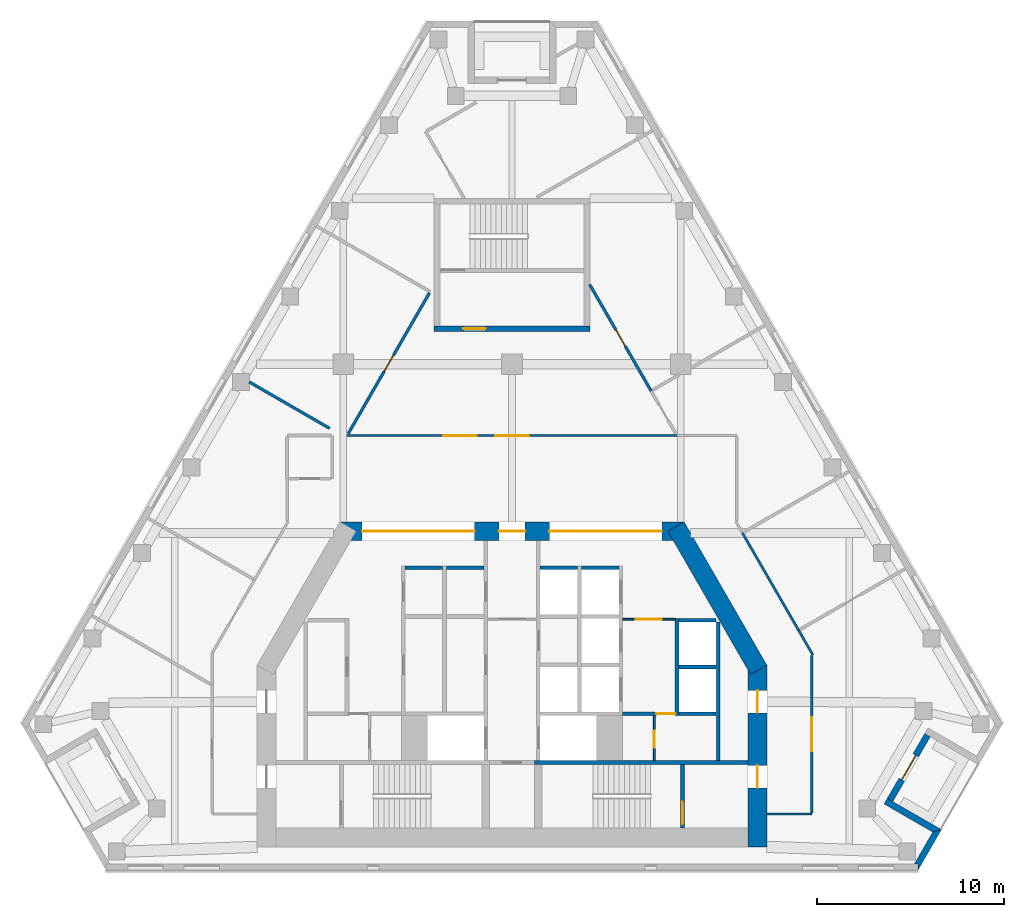
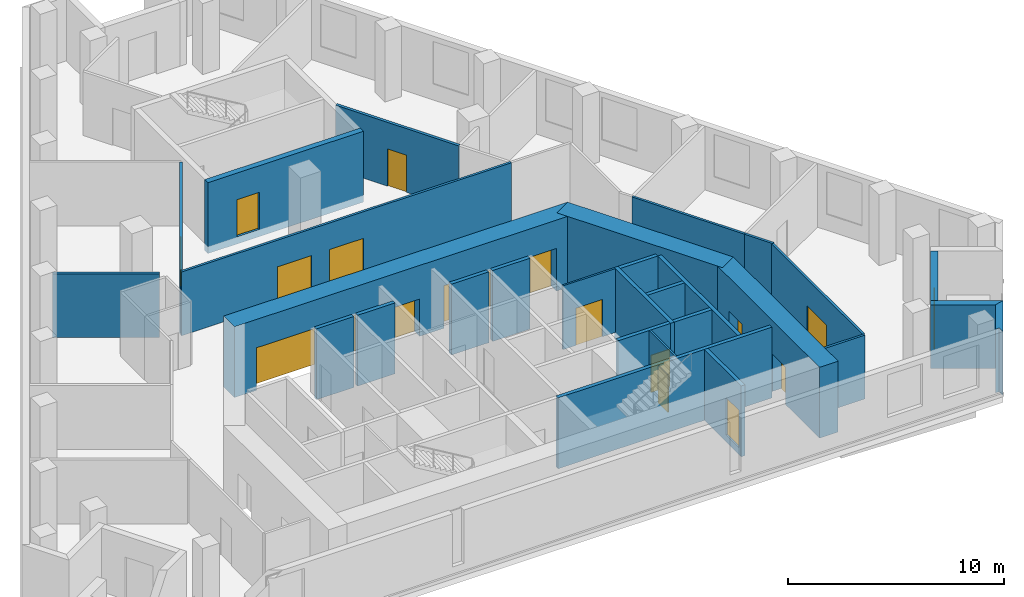
# One storey, part 4 of 7: 29 walls, 16 doors, 16 openings.
"""IFC4 building model written with IfcOpenShell, lengths in metres."""

from ifc_helpers import new_model, si_unit, direction, frame, frame_2d, origin, place, context, subcontext, project, spatial, polyline, rectangle, outline, extrude, material, layer, layer_set, type_object, element, fill, save


model = new_model("IFC4")

# Units and contexts
model_context = context("Model", 3, precision=1e-05, world=origin(), true_north=direction((0.0, 1.0)))
body_context = subcontext(model_context, "Body", "Model", "MODEL_VIEW")
ifc_project = project(units=[si_unit("LENGTHUNIT", "METRE"), si_unit("AREAUNIT", "SQUARE_METRE"), si_unit("VOLUMEUNIT", "CUBIC_METRE"), si_unit("PLANEANGLEUNIT", "RADIAN"), si_unit("MASSUNIT", "GRAM", prefix="KILO")], contexts=[model_context])

# Site, building, storey
site_placement = place(None, origin())
site = spatial("IfcSite", under=ifc_project, at=site_placement, CompositionType="ELEMENT")
building_placement = place(site_placement, origin())
building = spatial("IfcBuilding", under=site, at=building_placement, Name="Fogline Exchange Tower", CompositionType="ELEMENT")
storey_placement = place(building_placement, frame((0.0, 0.0, 251.5)))
storey = spatial("IfcBuildingStorey", under=building, at=storey_placement, Name="L57", CompositionType="ELEMENT", Elevation=251.5)

# Wall, opening, door
ifc_material_1 = material(Name="Blockwork partition", Category="masonry")
ifc_layer_1 = layer(ifc_material_1, 0.10009765625)
ifc_layer_set_1 = layer_set([ifc_layer_1], Name="CW10")
wall_type_1 = type_object("IfcWallType", Name="CW10", PredefinedType="PARTITIONING", material=ifc_layer_set_1)
wall_1_placement = place(storey_placement, frame((5.89990234375, 13.39990234375, 0.0), z_axis=(0.0, 0.0, 1.0), x_axis=(1.0, 0.0, 0.0)))
wall_1 = element("IfcWall", 1, at=wall_1_placement, inside=storey, type_object=wall_type_1, Name="Lift lobby partition", PredefinedType="PARTITIONING", context=body_context, shape_type="SweptSolid", body=[
    extrude(rectangle(XDim=2.800048828125, YDim=0.10009765625, at=frame_2d((1.39990234375, 0.0))), origin(), (0.0, 0.0, 1.0), 3.60009765625),
])
opening_1_placement = place(wall_1_placement, frame((0.699951171875, 0.0, 0.0)))
opening_1 = element("IfcOpeningElement", 2, at=opening_1_placement, cuts=wall_1, Name="Opening T18-C013", PredefinedType="OPENING", context=body_context, shape_type="SweptSolid", body=[
    extrude(rectangle(XDim=1.39990234375, YDim=2.10009765625, at=frame_2d((0.699951171875, 1.050048828125))), frame((0.0, 0.06005859375, 0.0), z_axis=(0.0, -1.0, 0.0), x_axis=(1.0, 0.0, 0.0)), (0.0, 0.0, 1.0), 0.1201171875),
])
ifc_material_2 = material(Name="Steel and timber fire door", Category="steel")
door_type_1 = type_object("IfcDoorType", Name="D-LB1", OperationType="DOUBLE_DOOR_SINGLE_SWING", PredefinedType="DOOR", material=ifc_material_2)
door_1_placement = place(opening_1_placement, frame((1.39990234375, 0.0, 0.0), z_axis=(0.0, 0.0, 1.0), x_axis=(-1.0, 0.0, 0.0)))
door_1 = element("IfcDoor", 3, at=door_1_placement, inside=storey, type_object=door_type_1, Name="Door to lift lobby", OperationType="DOUBLE_DOOR_SINGLE_SWING", OverallHeight=2.10009765625, OverallWidth=1.39990234375, PredefinedType="DOOR", context=body_context, shape_type="SweptSolid", body=[
    extrude(rectangle(XDim=1.39990234375, YDim=2.10009765625, at=frame_2d((0.699951171875, 1.050048828125))), frame((0.0, 0.02490234375, 0.0), z_axis=(0.0, -1.0, 0.0), x_axis=(1.0, 0.0, 0.0)), (0.0, 0.0, 1.0), 0.050048828125),
])
fill(opening_1, door_1)

wall_2_placement = place(storey_placement, frame((7.60009765625, 5.85009765625, 0.0), z_axis=(0.0, 0.0, 1.0), x_axis=(0.0, 1.0, 0.0)))
wall_2 = element("IfcWall", 4, at=wall_2_placement, inside=storey, type_object=wall_type_1, Name="WC partition", PredefinedType="PARTITIONING", context=body_context, shape_type="SweptSolid", body=[
    extrude(rectangle(XDim=2.39990234375, YDim=0.10009765625, at=frame_2d((1.199951171875, 0.0))), origin(), (0.0, 0.0, 1.0), 3.60009765625),
])
opening_2_placement = place(wall_2_placement, frame((0.699951171875, 0.0, 0.0)))
opening_2 = element("IfcOpeningElement", 5, at=opening_2_placement, cuts=wall_2, Name="Opening T18-C015", PredefinedType="OPENING", context=body_context, shape_type="SweptSolid", body=[
    extrude(rectangle(XDim=0.89990234375, YDim=2.10009765625, at=frame_2d((0.449951171875, 1.050048828125))), frame((0.0, 0.06005859375, 0.0), z_axis=(0.0, -1.0, 0.0), x_axis=(1.0, 0.0, 0.0)), (0.0, 0.0, 1.0), 0.1201171875),
])
door_type_2 = type_object("IfcDoorType", Name="D-CS1", OperationType="SINGLE_SWING_RIGHT", PredefinedType="DOOR", material=ifc_material_2)
door_2_placement = place(opening_2_placement, origin())
door_2 = element("IfcDoor", 6, at=door_2_placement, inside=storey, type_object=door_type_2, Name="Door to Cleaner's Store", OperationType="SINGLE_SWING_LEFT", OverallHeight=2.10009765625, OverallWidth=0.89990234375, PredefinedType="DOOR", context=body_context, shape_type="SweptSolid", body=[
    extrude(rectangle(XDim=0.89990234375, YDim=2.10009765625, at=frame_2d((0.449951171875, 1.050048828125))), frame((0.0, 0.02490234375, 0.0), z_axis=(0.0, -1.0, 0.0), x_axis=(1.0, 0.0, 0.0)), (0.0, 0.0, 1.0), 0.050048828125),
])
fill(opening_2, door_2)

# Wall
ifc_material_3 = material(Name="Concrete C40", Category="concrete")
ifc_layer_2 = layer(ifc_material_3, 0.199951171875)
ifc_layer_set_2 = layer_set([ifc_layer_2], Name="CW20")
wall_type_2 = type_object("IfcWallType", Name="CW20", PredefinedType="SOLIDWALL", material=ifc_layer_set_2)
wall_3_placement = place(storey_placement, frame((11.0, 5.85009765625, 0.0), z_axis=(0.0, 0.0, 1.0), x_axis=(0.0, 1.0, 0.0)))
element("IfcWall", 7, at=wall_3_placement, inside=storey, type_object=wall_type_2, Name="Service room wall", PredefinedType="SOLIDWALL", context=body_context, shape_type="SweptSolid", body=[
    extrude(rectangle(XDim=7.39990234375, YDim=0.199951171875, at=frame_2d((3.699951171875, 0.0))), origin(), (0.0, 0.0, 1.0), 3.60009765625),
])

# Wall, opening, door
wall_4_placement = place(storey_placement, frame((5.89990234375, 8.35009765625, 0.0), z_axis=(0.0, 0.0, 1.0), x_axis=(1.0, 0.0, 0.0)))
wall_4 = element("IfcWall", 8, at=wall_4_placement, inside=storey, type_object=wall_type_2, Name="WC wall", PredefinedType="SOLIDWALL", context=body_context, shape_type="SweptSolid", body=[
    extrude(rectangle(XDim=2.800048828125, YDim=0.199951171875, at=frame_2d((1.39990234375, 0.0))), origin(), (0.0, 0.0, 1.0), 3.60009765625),
])
opening_3_placement = place(wall_4_placement, frame((1.800048828125, 0.0, 0.0)))
opening_3 = element("IfcOpeningElement", 9, at=opening_3_placement, cuts=wall_4, Name="Opening T18-C014", PredefinedType="OPENING", context=body_context, shape_type="SweptSolid", body=[
    extrude(rectangle(XDim=1.0, YDim=2.10009765625, at=frame_2d((0.5, 1.050048828125))), frame((0.0, 0.10986328125, 0.0), z_axis=(0.0, -1.0, 0.0), x_axis=(1.0, 0.0, 0.0)), (0.0, 0.0, 1.0), 0.219970703125),
])
door_type_3 = type_object("IfcDoorType", Name="D-WC1", OperationType="SINGLE_SWING_LEFT", PredefinedType="DOOR", material=ifc_material_2)
door_3_placement = place(opening_3_placement, frame((1.0, 0.0, 0.0), z_axis=(0.0, 0.0, 1.0), x_axis=(-1.0, 0.0, 0.0)))
door_3 = element("IfcDoor", 10, at=door_3_placement, inside=storey, type_object=door_type_3, Name="Door to Women's WC", OperationType="SINGLE_SWING_LEFT", OverallHeight=2.10009765625, OverallWidth=1.0, PredefinedType="DOOR", context=body_context, shape_type="SweptSolid", body=[
    extrude(rectangle(XDim=1.0, YDim=2.10009765625, at=frame_2d((0.5, 1.050048828125))), frame((0.0, 0.02490234375, 0.0), z_axis=(0.0, -1.0, 0.0), x_axis=(1.0, 0.0, 0.0)), (0.0, 0.0, 1.0), 0.050048828125),
])
fill(opening_3, door_3)

# Wall
ifc_layer_3 = layer(ifc_material_3, 0.199951171875)
ifc_layer_set_3 = layer_set([ifc_layer_3], Name="CW20R")
wall_type_3 = type_object("IfcWallType", Name="CW20R", PredefinedType="SOLIDWALL", material=ifc_layer_set_3)
wall_5_placement = place(storey_placement, frame((1.199951171875, 5.75, -0.39990234375), z_axis=(0.0, 0.0, 1.0), x_axis=(1.0, 0.0, 0.0)))
element("IfcWall", 11, at=wall_5_placement, inside=storey, type_object=wall_type_3, Name="Stair enclosure wall", PredefinedType="SOLIDWALL", context=body_context, shape_type="SweptSolid", body=[
    extrude(rectangle(XDim=11.400146484375, YDim=0.199951171875, at=frame_2d((5.7001953125, 0.0))), origin(), (0.0, 0.0, 1.0), 4.0),
])

# Wall, opening, door
wall_6_placement = place(storey_placement, frame((9.10009765625, 2.25, -0.39990234375), z_axis=(0.0, 0.0, 1.0), x_axis=(0.0, 1.0, 0.0)))
wall_6 = element("IfcWall", 12, at=wall_6_placement, inside=storey, type_object=wall_type_3, Name="Stair enclosure wall", PredefinedType="SOLIDWALL", context=body_context, shape_type="SweptSolid", body=[
    extrude(rectangle(XDim=3.39990234375, YDim=0.199951171875, at=frame_2d((1.699951171875, 0.0))), origin(), (0.0, 0.0, 1.0), 4.0),
])
opening_4_placement = place(wall_6_placement, frame((0.199951171875, 0.0, 0.39990234375)))
opening_4 = element("IfcOpeningElement", 13, at=opening_4_placement, cuts=wall_6, Name="Opening T18-C017", PredefinedType="OPENING", context=body_context, shape_type="SweptSolid", body=[
    extrude(rectangle(XDim=1.199951171875, YDim=2.10009765625, at=frame_2d((0.60009765625, 1.050048828125))), frame((0.0, 0.10986328125, 0.0), z_axis=(0.0, -1.0, 0.0), x_axis=(1.0, 0.0, 0.0)), (0.0, 0.0, 1.0), 0.219970703125),
])
door_type_4 = type_object("IfcDoorType", Name="D-ST1", OperationType="SINGLE_SWING_LEFT", PredefinedType="DOOR", material=ifc_material_2)
door_4_placement = place(opening_4_placement, origin())
door_4 = element("IfcDoor", 14, at=door_4_placement, inside=storey, type_object=door_type_4, Name="Stair door ST2", OperationType="SINGLE_SWING_LEFT", OverallHeight=2.10009765625, OverallWidth=1.199951171875, PredefinedType="DOOR", context=body_context, shape_type="SweptSolid", body=[
    extrude(rectangle(XDim=1.199951171875, YDim=2.10009765625, at=frame_2d((0.60009765625, 1.050048828125))), frame((0.0, 0.02490234375, 0.0), z_axis=(0.0, -1.0, 0.0), x_axis=(1.0, 0.0, 0.0)), (0.0, 0.0, 1.0), 0.050048828125),
])
fill(opening_4, door_4)

# Walls
ifc_layer_4 = layer(ifc_material_3, 0.199951171875)
ifc_layer_set_4 = layer_set([ifc_layer_4], Name="CW20S")
wall_type_4 = type_object("IfcWallType", Name="CW20S", PredefinedType="SOLIDWALL", material=ifc_layer_set_4)
wall_7_placement = place(storey_placement, frame((8.800048828125, 8.25, -0.39990234375), z_axis=(0.0, 0.0, 1.0), x_axis=(0.0, 1.0, 0.0)))
element("IfcWall", 15, at=wall_7_placement, inside=storey, type_object=wall_type_4, Name="Lift shaft wall", PredefinedType="SOLIDWALL", context=body_context, shape_type="SweptSolid", body=[
    extrude(rectangle(XDim=5.199951171875, YDim=0.199951171875, at=frame_2d((2.60009765625, 0.0))), origin(), (0.0, 0.0, 1.0), 4.0),
])
for number, where, z_axis, x_axis, name in (
    (16, (8.89990234375, 8.35009765625, -0.39990234375), (0.0, 0.0, 1.0), (1.0, 0.0, 0.0), "Lift shaft wall"),
    (17, (-5.699951171875, 16.14990234375, -0.39990234375), (0.0, 0.0, 1.0), (1.0, 0.0, 0.0), "Lift shaft wall"),
    (18, (-3.5, 16.14990234375, -0.39990234375), (0.0, 0.0, 1.0), (1.0, 0.0, 0.0), "Lift shaft wall"),
    (19, (8.89990234375, 10.85009765625, -0.39990234375), (0.0, 0.0, 1.0), (1.0, 0.0, 0.0), "Lift shaft wall"),
    (20, (8.89990234375, 13.35009765625, -0.39990234375), (0.0, 0.0, 1.0), (1.0, 0.0, 0.0), "Lift shaft wall"),
    (21, (3.699951171875, 16.14990234375, -0.39990234375), (0.0, 0.0, 1.0), (1.0, 0.0, 0.0), "Lift shaft wall"),
    (22, (1.5, 16.14990234375, -0.39990234375), (0.0, 0.0, 1.0), (1.0, 0.0, 0.0), "Lift shaft wall"),
):
    element("IfcWall", number, at=place(storey_placement, frame(where, z_axis=z_axis, x_axis=x_axis)), inside=storey, type_object=wall_type_4, Name=name, PredefinedType="SOLIDWALL", context=body_context, shape_type="SweptSolid", body=[
        extrude(rectangle(XDim=2.0, YDim=0.199951171875, at=frame_2d((1.0, 0.0))), origin(), (0.0, 0.0, 1.0), 4.0),
    ])

# Wall, opening, door
ifc_layer_5 = layer(ifc_material_3, 0.300048828125)
ifc_layer_set_5 = layer_set([ifc_layer_5], Name="CW30")
wall_type_5 = type_object("IfcWallType", Name="CW30", PredefinedType="SOLIDWALL", material=ifc_layer_set_5)
wall_8_placement = place(storey_placement, frame((-4.14990234375, 28.906982421875, -0.39990234375), z_axis=(0.0, 0.0, 1.0), x_axis=(1.0, 0.0, 0.0)))
wall_8 = element("IfcWall", 23, at=wall_8_placement, inside=storey, type_object=wall_type_5, Name="Stair enclosure wall ST3", PredefinedType="SOLIDWALL", context=body_context, shape_type="SweptSolid", body=[
    extrude(rectangle(XDim=8.2998046875, YDim=0.300048828125, at=frame_2d((4.14990234375, 0.0))), origin(), (0.0, 0.0, 1.0), 4.0),
])
opening_5_placement = place(wall_8_placement, frame((1.550048828125, 0.0, 0.39990234375)))
opening_5 = element("IfcOpeningElement", 24, at=opening_5_placement, cuts=wall_8, Name="Opening T18-C023", PredefinedType="OPENING", context=body_context, shape_type="SweptSolid", body=[
    extrude(rectangle(XDim=1.199951171875, YDim=2.10009765625, at=frame_2d((0.60009765625, 1.050048828125))), frame((0.0, 0.16015625, 0.0), z_axis=(0.0, -1.0, 0.0), x_axis=(1.0, 0.0, 0.0)), (0.0, 0.0, 1.0), 0.320068359375),
])
door_type_5 = type_object("IfcDoorType", Name="D-FR1", OperationType="SINGLE_SWING_RIGHT", PredefinedType="DOOR", material=ifc_material_2)
door_5_placement = place(opening_5_placement, origin())
door_5 = element("IfcDoor", 25, at=door_5_placement, inside=storey, type_object=door_type_5, Name="Front room door ST3", OperationType="SINGLE_SWING_LEFT", OverallHeight=2.10009765625, OverallWidth=1.199951171875, PredefinedType="DOOR", context=body_context, shape_type="SweptSolid", body=[
    extrude(rectangle(XDim=1.199951171875, YDim=2.10009765625, at=frame_2d((0.60009765625, 1.050048828125))), frame((0.0, 0.02490234375, 0.0), z_axis=(0.0, -1.0, 0.0), x_axis=(1.0, 0.0, 0.0)), (0.0, 0.0, 1.0), 0.050048828125),
])
fill(opening_5, door_5)

# Walls
ifc_material_4 = material(Name="Brick masonry", Category="masonry")
ifc_layer_6 = layer(ifc_material_4, 0.340087890625)
ifc_layer_set_6 = layer_set([ifc_layer_6], Name="FW1")
wall_type_6 = type_object("IfcWallType", Name="FW1", PredefinedType="SOLIDWALL", material=ifc_layer_set_6)
wall_9_placement = place(storey_placement, origin())
element("IfcWall", 26, at=wall_9_placement, inside=storey, type_object=wall_type_6, Name="Brick wall L57 SE-c1", PredefinedType="SOLIDWALL", context=body_context, shape_type="SweptSolid", body=[
    extrude(outline(polyline([(22.92041015625, 2.165771484375), (21.66943359375, -0.001220703125), (21.668701171875, -0.0009765625), (21.668701171875, 0.33935546875), (21.471923828125, 0.33935546875), (22.45458984375, 2.041015625), (22.920166015625, 2.166015625), (22.92041015625, 2.165771484375)])), origin(), (0.0, 0.0, 1.0), 3.60009765625),
])
wall_10_placement = place(storey_placement, origin())
element("IfcWall", 27, at=wall_10_placement, inside=storey, type_object=wall_type_6, Name="Brick wall L57 SE-s1", PredefinedType="SOLIDWALL", context=body_context, shape_type="SweptSolid", body=[
    extrude(outline(polyline([(19.85595703125, 3.540283203125), (20.026611328125, 3.8359375), (20.321533203125, 3.66552734375), (22.920654296875, 2.1650390625), (22.92041015625, 2.164794921875), (22.454833984375, 2.0400390625), (19.85595703125, 3.540283203125)])), origin(), (0.0, 0.0, 1.0), 3.60009765625),
])

# Wall, opening, door
wall_11_placement = place(storey_placement, frame((20.174072265625, 3.75, 0.0), z_axis=(0.0, 0.0, 1.0), x_axis=(0.49999894854, 0.866026010844, 0.0)))
wall_11 = element("IfcWall", 28, at=wall_11_placement, inside=storey, type_object=wall_type_6, Name="Brick wall L57 SE-bk", PredefinedType="SOLIDWALL", context=body_context, shape_type="SweptSolid", body=[
    extrude(rectangle(XDim=4.0, YDim=0.340087890625, at=frame_2d((2.0, 0.0))), origin(), (0.0, 0.0, 1.0), 3.60009765625),
])
opening_6_placement = place(wall_11_placement, frame((1.25, 0.0, 0.0)))
opening_6 = element("IfcOpeningElement", 29, at=opening_6_placement, cuts=wall_11, Name="Opening T18-E081", PredefinedType="OPENING", context=body_context, shape_type="SweptSolid", body=[
    extrude(rectangle(XDim=1.5, YDim=2.39990234375, at=frame_2d((0.75, 1.199951171875))), frame((0.0, 0.18017578125, 0.0), z_axis=(0.0, -1.0, 0.0), x_axis=(1.0, 0.0, 0.0)), (0.0, 0.0, 1.0), 0.360107421875),
])
ifc_material_5 = material(Name="Aluminium and glass", Category="aluminium")
door_type_6 = type_object("IfcDoorType", Name="ED4", OperationType="SINGLE_SWING_LEFT", PredefinedType="DOOR", material=ifc_material_5)
door_6_placement = place(opening_6_placement, frame((1.5, 0.0, 0.0), z_axis=(0.0, 0.0, 1.0), x_axis=(-1.0, 0.0, 0.0)))
door_6 = element("IfcDoor", 30, at=door_6_placement, inside=storey, type_object=door_type_6, Name="Balcony door L57 SE", OperationType="DOUBLE_DOOR_SINGLE_SWING", OverallHeight=2.39990234375, OverallWidth=1.5, PredefinedType="DOOR", context=body_context, shape_type="SweptSolid", body=[
    extrude(rectangle(XDim=1.5, YDim=2.39990234375, at=frame_2d((0.75, 1.199951171875))), frame((0.0, 0.02490234375, 0.0), z_axis=(0.0, -1.0, 0.0), x_axis=(1.0, 0.0, 0.0)), (0.0, 0.0, 1.0), 0.050048828125),
])
fill(opening_6, door_6)

# Wall
ifc_material_6 = material(Name="Plasterboard corridor partition with mineral wool, 2 layers each side")
ifc_layer_7 = layer(ifc_material_6, 0.125)
ifc_layer_set_7 = layer_set([ifc_layer_7], Name="PW2")
wall_type_7 = type_object("IfcWallType", Name="PW2", PredefinedType="PARTITIONING", material=ifc_layer_set_7)
wall_12_placement = place(storey_placement, frame((15.296630859375, 12.806640625, 0.0), z_axis=(0.0, 0.0, 1.0), x_axis=(0.50003863285, -0.866003097949, 0.0)))
element("IfcWall", 31, at=wall_12_placement, inside=storey, type_object=wall_type_7, Name="wall-L57-W002", PredefinedType="PARTITIONING", context=body_context, shape_type="SweptSolid", body=[
    extrude(rectangle(XDim=1.51513671875, YDim=0.125, at=frame_2d((0.757568359375, 0.0))), origin(), (0.0, 0.0, 1.0), 3.60009765625),
])

# Wall, opening, door
wall_13_placement = place(storey_placement, frame((16.0, 11.46337890625, 0.0), z_axis=(0.0, 0.0, 1.0), x_axis=(0.0, -1.0, 0.0)))
wall_13 = element("IfcWall", 32, at=wall_13_placement, inside=storey, type_object=wall_type_7, Name="wall-L57-W003", PredefinedType="PARTITIONING", context=body_context, shape_type="SweptSolid", body=[
    extrude(rectangle(XDim=8.40087890625, YDim=0.125, at=frame_2d((4.200439453125, 0.0))), origin(), (0.0, 0.0, 1.0), 3.60009765625),
])
opening_7_placement = place(wall_13_placement, frame((3.300537109375, 0.0, 0.0)))
opening_7 = element("IfcOpeningElement", 33, at=opening_7_placement, cuts=wall_13, Name="Opening T18-D001", PredefinedType="OPENING", context=body_context, shape_type="SweptSolid", body=[
    extrude(rectangle(XDim=1.800048828125, YDim=2.10009765625, at=frame_2d((0.89990234375, 1.050048828125))), frame((0.0, 0.072509765625, 0.0), z_axis=(0.0, -1.0, 0.0), x_axis=(1.0, 0.0, 0.0)), (0.0, 0.0, 1.0), 0.14501953125),
])
ifc_material_7 = material(Name="Fire-rated timber door leaves with steel frame", Category="steel")
door_type_7 = type_object("IfcDoorType", Name="D4", OperationType="DOUBLE_DOOR_SINGLE_SWING", PredefinedType="DOOR", material=ifc_material_7)
door_7_placement = place(opening_7_placement, frame((1.800048828125, 0.0, 0.0), z_axis=(0.0, 0.0, 1.0), x_axis=(-1.0, 0.0, 0.0)))
door_7 = element("IfcDoor", 34, at=door_7_placement, inside=storey, type_object=door_type_7, Name="door-L57-D001", OperationType="DOUBLE_DOOR_SINGLE_SWING", OverallHeight=2.10009765625, OverallWidth=1.800048828125, PredefinedType="DOOR", context=body_context, shape_type="SweptSolid", body=[
    extrude(rectangle(XDim=1.800048828125, YDim=2.10009765625, at=frame_2d((0.89990234375, 1.050048828125))), frame((0.0, 0.02490234375, 0.0), z_axis=(0.0, -1.0, 0.0), x_axis=(1.0, 0.0, 0.0)), (0.0, 0.0, 1.0), 0.050048828125),
])
fill(opening_7, door_7)

# Walls
wall_14_placement = place(storey_placement, frame((16.0, 3.0, 0.0), z_axis=(0.0, 0.0, 1.0), x_axis=(-1.0, 0.0, 0.0)))
element("IfcWall", 35, at=wall_14_placement, inside=storey, type_object=wall_type_7, Name="wall-L57-W004", PredefinedType="PARTITIONING", context=body_context, shape_type="SweptSolid", body=[
    extrude(rectangle(XDim=2.39990234375, YDim=0.125, at=frame_2d((1.199951171875, 0.0))), origin(), (0.0, 0.0, 1.0), 3.60009765625),
])
wall_15_placement = place(storey_placement, frame((12.296630859375, 18.002685546875, 0.0), z_axis=(0.0, 0.0, 1.0), x_axis=(0.500007758305, -0.866020924479, 0.0)))
element("IfcWall", 36, at=wall_15_placement, inside=storey, type_object=wall_type_7, Name="wall-L57-W005", PredefinedType="PARTITIONING", context=body_context, shape_type="SweptSolid", body=[
    extrude(rectangle(XDim=6.0, YDim=0.125, at=frame_2d((3.0, 0.0))), origin(), (0.0, 0.0, 1.0), 3.60009765625),
])

# Wall, openings, doors
wall_16_placement = place(storey_placement, frame((-8.79931640625, 23.199951171875, 0.0), z_axis=(0.0, 0.0, 1.0), x_axis=(1.0, 0.0, 0.0)))
wall_16 = element("IfcWall", 37, at=wall_16_placement, inside=storey, type_object=wall_type_7, Name="wall-L57-W008", PredefinedType="PARTITIONING", context=body_context, shape_type="SweptSolid", body=[
    extrude(rectangle(XDim=17.5986328125, YDim=0.125, at=frame_2d((8.79931640625, 0.0))), origin(), (0.0, 0.0, 1.0), 3.60009765625),
])
opening_8_placement = place(wall_16_placement, frame((5.11767578125, 0.0, 0.0)))
opening_8 = element("IfcOpeningElement", 38, at=opening_8_placement, cuts=wall_16, Name="Opening T18-D002", PredefinedType="OPENING", context=body_context, shape_type="SweptSolid", body=[
    extrude(rectangle(XDim=1.800048828125, YDim=2.10009765625, at=frame_2d((0.89990234375, 1.050048828125))), frame((0.0, 0.072509765625, 0.0), z_axis=(0.0, -1.0, 0.0), x_axis=(1.0, 0.0, 0.0)), (0.0, 0.0, 1.0), 0.14501953125),
])
opening_9_placement = place(wall_16_placement, frame((7.8994140625, 0.0, 0.0)))
opening_9 = element("IfcOpeningElement", 39, at=opening_9_placement, cuts=wall_16, Name="Opening T18-D003", PredefinedType="OPENING", context=body_context, shape_type="SweptSolid", body=[
    extrude(rectangle(XDim=1.800048828125, YDim=2.10009765625, at=frame_2d((0.89990234375, 1.050048828125))), frame((0.0, 0.072509765625, 0.0), z_axis=(0.0, -1.0, 0.0), x_axis=(1.0, 0.0, 0.0)), (0.0, 0.0, 1.0), 0.14501953125),
])
door_8_placement = place(opening_8_placement, frame((1.800048828125, 0.0, 0.0), z_axis=(0.0, 0.0, 1.0), x_axis=(-1.0, 0.0, 0.0)))
door_8 = element("IfcDoor", 40, at=door_8_placement, inside=storey, type_object=door_type_7, Name="door-L57-D002", OperationType="DOUBLE_DOOR_SINGLE_SWING", OverallHeight=2.10009765625, OverallWidth=1.800048828125, PredefinedType="DOOR", context=body_context, shape_type="SweptSolid", body=[
    extrude(rectangle(XDim=1.800048828125, YDim=2.10009765625, at=frame_2d((0.89990234375, 1.050048828125))), frame((0.0, 0.02490234375, 0.0), z_axis=(0.0, -1.0, 0.0), x_axis=(1.0, 0.0, 0.0)), (0.0, 0.0, 1.0), 0.050048828125),
])
fill(opening_8, door_8)
door_9_placement = place(opening_9_placement, frame((1.800048828125, 0.0, 0.0), z_axis=(0.0, 0.0, 1.0), x_axis=(-1.0, 0.0, 0.0)))
door_9 = element("IfcDoor", 41, at=door_9_placement, inside=storey, type_object=door_type_7, Name="door-L57-D003", OperationType="DOUBLE_DOOR_SINGLE_SWING", OverallHeight=2.10009765625, OverallWidth=1.800048828125, PredefinedType="DOOR", context=body_context, shape_type="SweptSolid", body=[
    extrude(rectangle(XDim=1.800048828125, YDim=2.10009765625, at=frame_2d((0.89990234375, 1.050048828125))), frame((0.0, 0.02490234375, 0.0), z_axis=(0.0, -1.0, 0.0), x_axis=(1.0, 0.0, 0.0)), (0.0, 0.0, 1.0), 0.050048828125),
])
fill(opening_9, door_9)

# Wall, opening, door
ifc_material_8 = material(Name="Plasterboard demising partition with mineral wool and acoustic board")
ifc_layer_8 = layer(ifc_material_8, 0.14990234375)
ifc_layer_set_8 = layer_set([ifc_layer_8], Name="PW3")
wall_type_8 = type_object("IfcWallType", Name="PW3", PredefinedType="PARTITIONING", material=ifc_layer_set_8)
wall_17_placement = place(storey_placement, frame((7.424072265625, 25.581787109375, 0.0), z_axis=(0.0, 0.0, 1.0), x_axis=(-0.499992467015, 0.866029752912, 0.0)))
wall_17 = element("IfcWall", 42, at=wall_17_placement, inside=storey, type_object=wall_type_8, Name="wall-L57-W023", PredefinedType="PARTITIONING", context=body_context, shape_type="SweptSolid", body=[
    extrude(rectangle(XDim=6.54833984375, YDim=0.14990234375, at=frame_2d((3.274169921875, 0.0))), origin(), (0.0, 0.0, 1.0), 3.60009765625),
])
opening_10_placement = place(wall_17_placement, frame((2.774169921875, 0.0, 0.0)))
opening_10 = element("IfcOpeningElement", 43, at=opening_10_placement, cuts=wall_17, Name="Opening T18-D009", PredefinedType="OPENING", context=body_context, shape_type="SweptSolid", body=[
    extrude(rectangle(XDim=1.0, YDim=2.10009765625, at=frame_2d((0.5, 1.050048828125))), frame((0.0, 0.0849609375, 0.0), z_axis=(0.0, -1.0, 0.0), x_axis=(1.0, 0.0, 0.0)), (0.0, 0.0, 1.0), 0.169921875),
])
ifc_material_9 = material(Name="Fire-rated timber door leaf with steel frame", Category="steel")
door_type_8 = type_object("IfcDoorType", Name="D3", OperationType="SINGLE_SWING_LEFT", PredefinedType="DOOR", material=ifc_material_9)
door_10_placement = place(opening_10_placement, frame((1.0, 0.0, 0.0), z_axis=(0.0, 0.0, 1.0), x_axis=(-1.0, 0.0, 0.0)))
door_10 = element("IfcDoor", 44, at=door_10_placement, inside=storey, type_object=door_type_8, Name="door-L57-D009", OperationType="SINGLE_SWING_RIGHT", OverallHeight=2.10009765625, OverallWidth=1.0, PredefinedType="DOOR", context=body_context, shape_type="SweptSolid", body=[
    extrude(rectangle(XDim=1.0, YDim=2.10009765625, at=frame_2d((0.5, 1.050048828125))), frame((0.0, 0.02490234375, 0.0), z_axis=(0.0, -1.0, 0.0), x_axis=(1.0, 0.0, 0.0)), (0.0, 0.0, 1.0), 0.050048828125),
])
fill(opening_10, door_10)

wall_18_placement = place(storey_placement, frame((-8.7412109375, 23.30029296875, 0.0), z_axis=(0.0, 0.0, 1.0), x_axis=(0.499998569178, 0.866026229868, 0.0)))
wall_18 = element("IfcWall", 45, at=wall_18_placement, inside=storey, type_object=wall_type_8, Name="wall-L57-W026", PredefinedType="PARTITIONING", context=body_context, shape_type="SweptSolid", body=[
    extrude(rectangle(XDim=8.67431640625, YDim=0.14990234375, at=frame_2d((4.337158203125, 0.0))), origin(), (0.0, 0.0, 1.0), 3.60009765625),
])
opening_11_placement = place(wall_18_placement, frame((3.837158203125, 0.0, 0.0)))
opening_11 = element("IfcOpeningElement", 46, at=opening_11_placement, cuts=wall_18, Name="Opening T18-D011", PredefinedType="OPENING", context=body_context, shape_type="SweptSolid", body=[
    extrude(rectangle(XDim=1.0, YDim=2.10009765625, at=frame_2d((0.5, 1.050048828125))), frame((0.0, 0.0849609375, 0.0), z_axis=(0.0, -1.0, 0.0), x_axis=(1.0, 0.0, 0.0)), (0.0, 0.0, 1.0), 0.169921875),
])
door_11_placement = place(opening_11_placement, origin())
door_11 = element("IfcDoor", 47, at=door_11_placement, inside=storey, type_object=door_type_8, Name="door-L57-D011", OperationType="SINGLE_SWING_LEFT", OverallHeight=2.10009765625, OverallWidth=1.0, PredefinedType="DOOR", context=body_context, shape_type="SweptSolid", body=[
    extrude(rectangle(XDim=1.0, YDim=2.10009765625, at=frame_2d((0.5, 1.050048828125))), frame((0.0, 0.02490234375, 0.0), z_axis=(0.0, -1.0, 0.0), x_axis=(1.0, 0.0, 0.0)), (0.0, 0.0, 1.0), 0.050048828125),
])
fill(opening_11, door_11)

# Wall
wall_19_placement = place(storey_placement, frame((-9.732666015625, 23.58349609375, 0.0), z_axis=(0.0, 0.0, 1.0), x_axis=(-0.866045937672, 0.499964432576, 0.0)))
element("IfcWall", 48, at=wall_19_placement, inside=storey, type_object=wall_type_8, Name="wall-L57-W028", PredefinedType="PARTITIONING", context=body_context, shape_type="SweptSolid", body=[
    extrude(rectangle(XDim=4.948974609375, YDim=0.14990234375, at=frame_2d((2.474609375, 0.0))), origin(), (0.0, 0.0, 1.0), 3.60009765625),
])

# Wall, openings, doors
ifc_material_10 = material(Name="Concrete C60", Category="concrete")
ifc_layer_9 = layer(ifc_material_10, 1.0)
ifc_layer_set_9 = layer_set([ifc_layer_9], Name="SW03")
wall_type_9 = type_object("IfcWallType", Name="SW03", PredefinedType="SHEAR", material=ifc_layer_set_9)
wall_20_placement = place(storey_placement, frame((13.10009765625, 1.25, 0.0), z_axis=(0.0, 0.0, 1.0), x_axis=(0.0, 1.0, 0.0)))
wall_20 = element("IfcWall", 49, at=wall_20_placement, inside=storey, type_object=wall_type_9, Name="L57-W902", PredefinedType="SHEAR", context=body_context, shape_type="SweptSolid", body=[
    extrude(rectangle(XDim=9.6953125, YDim=1.0, at=frame_2d((4.84765625, 0.0))), origin(), (0.0, 0.0, 1.0), 4.0),
])
opening_12_placement = place(wall_20_placement, frame((3.14990234375, 0.0, 0.0)))
opening_12 = element("IfcOpeningElement", 50, at=opening_12_placement, cuts=wall_20, Name="Opening T18-C016", PredefinedType="OPENING", context=body_context, shape_type="SweptSolid", body=[
    extrude(rectangle(XDim=1.199951171875, YDim=2.10009765625, at=frame_2d((0.60009765625, 1.050048828125))), frame((0.0, 0.510009765625, 0.0), z_axis=(0.0, -1.0, 0.0), x_axis=(1.0, 0.0, 0.0)), (0.0, 0.0, 1.0), 1.02001953125),
])
opening_13_placement = place(wall_20_placement, frame((7.14990234375, 0.0, 0.0)))
opening_13 = element("IfcOpeningElement", 51, at=opening_13_placement, cuts=wall_20, Name="Opening T18-C018", PredefinedType="OPENING", context=body_context, shape_type="SweptSolid", body=[
    extrude(rectangle(XDim=1.199951171875, YDim=2.10009765625, at=frame_2d((0.60009765625, 1.050048828125))), frame((0.0, 0.510009765625, 0.0), z_axis=(0.0, -1.0, 0.0), x_axis=(1.0, 0.0, 0.0)), (0.0, 0.0, 1.0), 1.02001953125),
])
door_12_placement = place(opening_12_placement, origin())
door_12 = element("IfcDoor", 52, at=door_12_placement, inside=storey, type_object=door_type_5, Name="Front room door ST2", OperationType="SINGLE_SWING_RIGHT", OverallHeight=2.10009765625, OverallWidth=1.199951171875, PredefinedType="DOOR", context=body_context, shape_type="SweptSolid", body=[
    extrude(rectangle(XDim=1.199951171875, YDim=2.10009765625, at=frame_2d((0.60009765625, 1.050048828125))), frame((0.0, 0.02490234375, 0.0), z_axis=(0.0, -1.0, 0.0), x_axis=(1.0, 0.0, 0.0)), (0.0, 0.0, 1.0), 0.050048828125),
])
fill(opening_12, door_12)
door_type_9 = type_object("IfcDoorType", Name="D-SV1", OperationType="SINGLE_SWING_LEFT", PredefinedType="DOOR", material=ifc_material_2)
door_13_placement = place(opening_13_placement, origin())
door_13 = element("IfcDoor", 53, at=door_13_placement, inside=storey, type_object=door_type_9, Name="Service door E", OperationType="SINGLE_SWING_RIGHT", OverallHeight=2.10009765625, OverallWidth=1.199951171875, PredefinedType="DOOR", context=body_context, shape_type="SweptSolid", body=[
    extrude(rectangle(XDim=1.199951171875, YDim=2.10009765625, at=frame_2d((0.60009765625, 1.050048828125))), frame((0.0, 0.02490234375, 0.0), z_axis=(0.0, -1.0, 0.0), x_axis=(1.0, 0.0, 0.0)), (0.0, 0.0, 1.0), 0.050048828125),
])
fill(opening_13, door_13)

# Wall
wall_21_placement = place(storey_placement, frame((13.1669921875, 10.6953125, 0.0), z_axis=(0.0, 0.0, 1.0), x_axis=(-0.499995021168, 0.866028278295, 0.0)))
element("IfcWall", 54, at=wall_21_placement, inside=storey, type_object=wall_type_9, Name="L57-W903", PredefinedType="SHEAR", context=body_context, shape_type="SweptSolid", body=[
    extrude(rectangle(XDim=8.8388671875, YDim=1.0, at=frame_2d((4.41943359375, 0.0))), origin(), (0.0, 0.0, 1.0), 4.0),
])

# Wall, openings, doors
wall_22_placement = place(storey_placement, frame((9.1806640625, 18.10009765625, 0.0), z_axis=(0.0, 0.0, 1.0), x_axis=(-1.0, 0.0, 0.0)))
wall_22 = element("IfcWall", 55, at=wall_22_placement, inside=storey, type_object=wall_type_9, Name="L57-W904", PredefinedType="SHEAR", context=body_context, shape_type="SweptSolid", body=[
    extrude(rectangle(XDim=18.361328125, YDim=1.0, at=frame_2d((9.1806640625, 0.0))), origin(), (0.0, 0.0, 1.0), 4.0),
])
opening_14_placement = place(wall_22_placement, frame((8.480712890625, 0.0, 0.0)))
opening_14 = element("IfcOpeningElement", 56, at=opening_14_placement, cuts=wall_22, Name="Opening T18-C020", PredefinedType="OPENING", context=body_context, shape_type="SweptSolid", body=[
    extrude(rectangle(XDim=1.39990234375, YDim=2.10009765625, at=frame_2d((0.699951171875, 1.050048828125))), frame((0.0, 0.510009765625, 0.0), z_axis=(0.0, -1.0, 0.0), x_axis=(1.0, 0.0, 0.0)), (0.0, 0.0, 1.0), 1.02001953125),
])
opening_15_placement = place(wall_22_placement, frame((11.1806640625, 0.0, 0.0)))
opening_15 = element("IfcOpeningElement", 57, at=opening_15_placement, cuts=wall_22, Name="Opening T18-C021", PredefinedType="OPENING", context=body_context, shape_type="SweptSolid", body=[
    extrude(rectangle(XDim=6.0, YDim=2.39990234375, at=frame_2d((3.0, 1.199951171875))), frame((0.0, 0.510009765625, 0.0), z_axis=(0.0, -1.0, 0.0), x_axis=(1.0, 0.0, 0.0)), (0.0, 0.0, 1.0), 1.02001953125),
])
opening_16_placement = place(wall_22_placement, frame((1.1806640625, 0.0, 0.0)))
opening_16 = element("IfcOpeningElement", 58, at=opening_16_placement, cuts=wall_22, Name="Opening T18-C022", PredefinedType="OPENING", context=body_context, shape_type="SweptSolid", body=[
    extrude(rectangle(XDim=6.0, YDim=2.39990234375, at=frame_2d((3.0, 1.199951171875))), frame((0.0, 0.510009765625, 0.0), z_axis=(0.0, -1.0, 0.0), x_axis=(1.0, 0.0, 0.0)), (0.0, 0.0, 1.0), 1.02001953125),
])
door_14_placement = place(opening_14_placement, origin())
door_14 = element("IfcDoor", 59, at=door_14_placement, inside=storey, type_object=door_type_1, Name="Protected lobby door", OperationType="DOUBLE_DOOR_SINGLE_SWING", OverallHeight=2.10009765625, OverallWidth=1.39990234375, PredefinedType="DOOR", context=body_context, shape_type="SweptSolid", body=[
    extrude(rectangle(XDim=1.39990234375, YDim=2.10009765625, at=frame_2d((0.699951171875, 1.050048828125))), frame((0.0, 0.02490234375, 0.0), z_axis=(0.0, -1.0, 0.0), x_axis=(1.0, 0.0, 0.0)), (0.0, 0.0, 1.0), 0.050048828125),
])
fill(opening_14, door_14)
door_type_10 = type_object("IfcDoorType", Name="D-LE1", OperationType="DOUBLE_DOOR_SLIDING", PredefinedType="DOOR", material=ifc_material_2)
door_15_placement = place(opening_15_placement, origin())
door_15 = element("IfcDoor", 60, at=door_15_placement, inside=storey, type_object=door_type_10, Name="Lift lobby entrance west", OperationType="DOUBLE_DOOR_SLIDING", OverallHeight=2.39990234375, OverallWidth=6.0, PredefinedType="DOOR", context=body_context, shape_type="SweptSolid", body=[
    extrude(rectangle(XDim=6.0, YDim=2.39990234375, at=frame_2d((3.0, 1.199951171875))), frame((0.0, 0.02490234375, 0.0), z_axis=(0.0, -1.0, 0.0), x_axis=(1.0, 0.0, 0.0)), (0.0, 0.0, 1.0), 0.050048828125),
])
fill(opening_15, door_15)
door_16_placement = place(opening_16_placement, origin())
door_16 = element("IfcDoor", 61, at=door_16_placement, inside=storey, type_object=door_type_10, Name="Lift lobby entrance east", OperationType="DOUBLE_DOOR_SLIDING", OverallHeight=2.39990234375, OverallWidth=6.0, PredefinedType="DOOR", context=body_context, shape_type="SweptSolid", body=[
    extrude(rectangle(XDim=6.0, YDim=2.39990234375, at=frame_2d((3.0, 1.199951171875))), frame((0.0, 0.02490234375, 0.0), z_axis=(0.0, -1.0, 0.0), x_axis=(1.0, 0.0, 0.0)), (0.0, 0.0, 1.0), 0.050048828125),
])
fill(opening_16, door_16)

save(model, "model.ifc")
